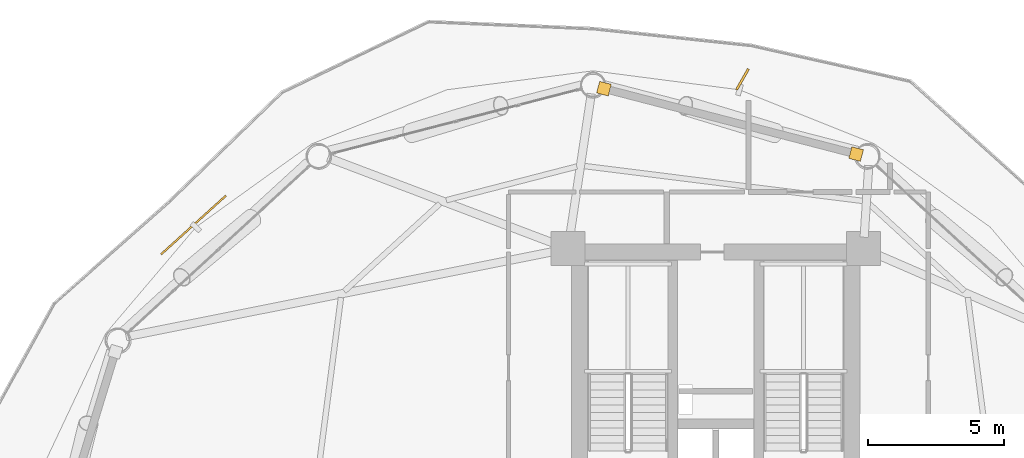
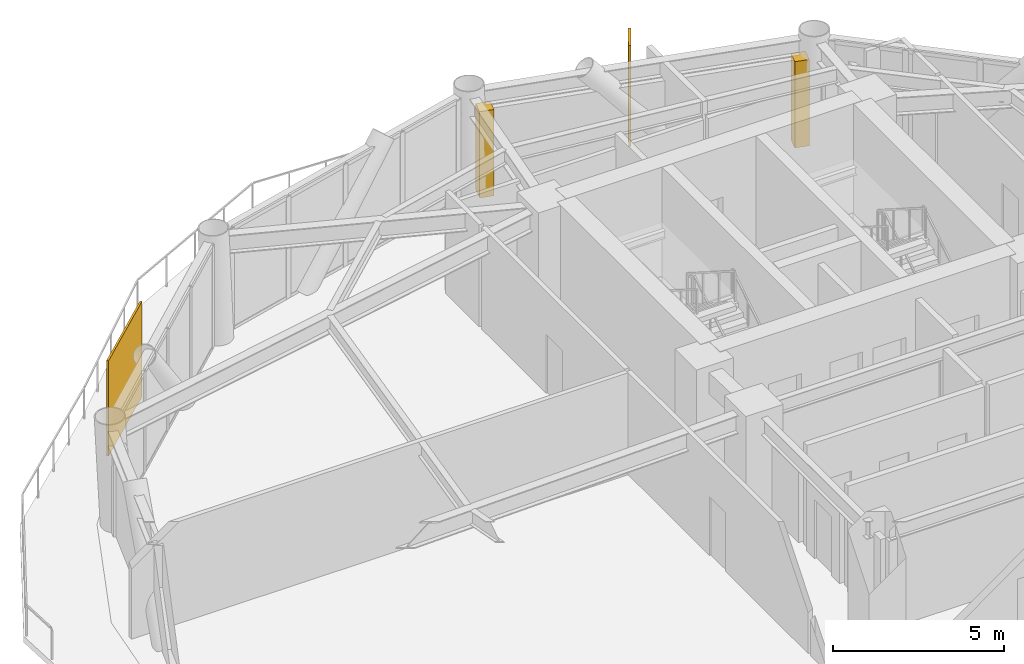
# One storey, part 23 of 23: 2 coverings, 2 shading devices.
"""IFC4 building model written with IfcOpenShell, lengths in metres."""

from ifc_helpers import new_model, si_unit, direction, frame, origin, origin_2d, place, context, subcontext, project, spatial, rectangle, extrude, source, transform, mapped, material, layer, layer_set, type_object, type_shapes, element, save


model = new_model("IFC4")

# Units and contexts
model_context = context("Model", 3, precision=1e-05, world=origin(), true_north=direction((0.0, 1.0)))
body_context = subcontext(model_context, "Body", "Model", "MODEL_VIEW")
ifc_project = project(units=[si_unit("LENGTHUNIT", "METRE"), si_unit("AREAUNIT", "SQUARE_METRE"), si_unit("VOLUMEUNIT", "CUBIC_METRE"), si_unit("PLANEANGLEUNIT", "RADIAN"), si_unit("MASSUNIT", "GRAM", prefix="KILO")], contexts=[model_context])

# Site, building, storey
site_placement = place(None, origin())
site = spatial("IfcSite", under=ifc_project, at=site_placement, CompositionType="ELEMENT")
building_placement = place(site_placement, origin())
building = spatial("IfcBuilding", under=site, at=building_placement, Name="Varnakorn Sky Granary", CompositionType="ELEMENT")
storey_placement = place(building_placement, frame((0.0, 0.0, 31.5)))
storey = spatial("IfcBuildingStorey", under=building, at=storey_placement, Name="L07", CompositionType="ELEMENT", Elevation=31.5)

# Shading device
ifc_material = material(Name="Anodised Bronze Aluminium Alloy 6063-T6", Category="aluminium")
shading_device_type_1 = type_object("IfcShadingDeviceType", Name="SH-FIN-01", PredefinedType="USERDEFINED", material=ifc_material)
shared_shape_1 = source(origin(), body_context, "Body", "SweptSolid", [
    extrude(rectangle(XDim=0.0849609375, YDim=0.8798828125, at=origin_2d()), origin(), (0.0, 0.0, 1.0), 3.60009765625),
])
type_shapes(shading_device_type_1, [shared_shape_1])
shading_device_1_placement = place(storey_placement, frame((3.98291015625, 18.83349609375, -0.0400390625), z_axis=(0.0, 0.0, 1.0), x_axis=(-0.868359043616, 0.495936055728, 0.0)))
element("IfcShadingDevice", 1, at=shading_device_1_placement, inside=storey, type_object=shading_device_type_1, Name="Bronze Solar-Tracking Vertical Blade FIN L07-03", ObjectType="FIN", PredefinedType="USERDEFINED", context=body_context, shape_type="MappedRepresentation", body=[
    mapped(shared_shape_1, transform((0.0, 0.0, 0.0), x_axis=(1.0, 0.0, 0.0), y_axis=(0.0, 1.0, 0.0), z_axis=(0.0, 0.0, 1.0), scale=1.0)),
])

# Coverings
ifc_layer = layer(ifc_material, 0.050048828125, Name="Anodised Bronze Aluminium Alloy 6063-T6")
ifc_layer_set = layer_set([ifc_layer], Name="Anodised Bronze Aluminium Alloy 6063-T6")
covering_type = type_object("IfcCoveringType", Name="CV-CLAD-50", PredefinedType="CLADDING", material=ifc_layer_set)
shared_shape_2 = source(origin(), body_context, "Body", "SweptSolid", [
    extrude(rectangle(XDim=0.43994140625, YDim=0.43994140625, at=origin_2d()), origin(), (0.0, 0.0, 1.0), 3.080078125),
])
type_shapes(covering_type, [shared_shape_2])
for number, where, z_axis, x_axis, name in (
    (2, (-1.101318359375, 18.492431640625, -0.02001953125), (0.0, 0.0, 1.0), (0.96792877399, -0.251224776808, 0.0), "Bronze Corner Pilaster Closure L07-P03-A"),
    (3, (8.152587890625, 16.09130859375, -0.02001953125), (0.0, 0.0, 1.0), (0.96792877399, -0.251224776808, 0.0), "Bronze Corner Pilaster Closure L07-P03-B"),
):
    element("IfcCovering", number, at=place(storey_placement, frame(where, z_axis=z_axis, x_axis=x_axis)), inside=storey, type_object=covering_type, Name=name, PredefinedType="CLADDING", context=body_context, shape_type="MappedRepresentation", body=[
        mapped(shared_shape_2, transform((0.0, 0.0, 0.0), x_axis=(1.0, 0.0, 0.0), y_axis=(0.0, 1.0, 0.0), z_axis=(0.0, 0.0, 1.0), scale=1.0)),
    ])

# Shading device
shading_device_type_2 = type_object("IfcShadingDeviceType", Name="SH-SCR-01", PredefinedType="USERDEFINED", material=ifc_material)
shared_shape_3 = source(origin(), body_context, "Body", "SweptSolid", [
    extrude(rectangle(XDim=3.199951171875, YDim=0.06494140625, at=origin_2d()), origin(), (0.0, 0.0, 1.0), 3.39990234375),
])
type_shapes(shading_device_type_2, [shared_shape_3])
shading_device_2_placement = place(storey_placement, frame((-16.163818359375, 13.488525390625, -0.0400390625), z_axis=(0.0, 0.0, 1.0), x_axis=(-0.741501830468, -0.67095084426, 0.0)))
element("IfcShadingDevice", 4, at=shading_device_2_placement, inside=storey, type_object=shading_device_type_2, Name="Perforated Bronze Solar Screen Panel SCREEN L07-05", ObjectType="SCREEN", PredefinedType="USERDEFINED", context=body_context, shape_type="MappedRepresentation", body=[
    mapped(shared_shape_3, transform((0.0, 0.0, 0.0), x_axis=(1.0, 0.0, 0.0), y_axis=(0.0, 1.0, 0.0), z_axis=(0.0, 0.0, 1.0), scale=1.0)),
])

save(model, "model.ifc")
